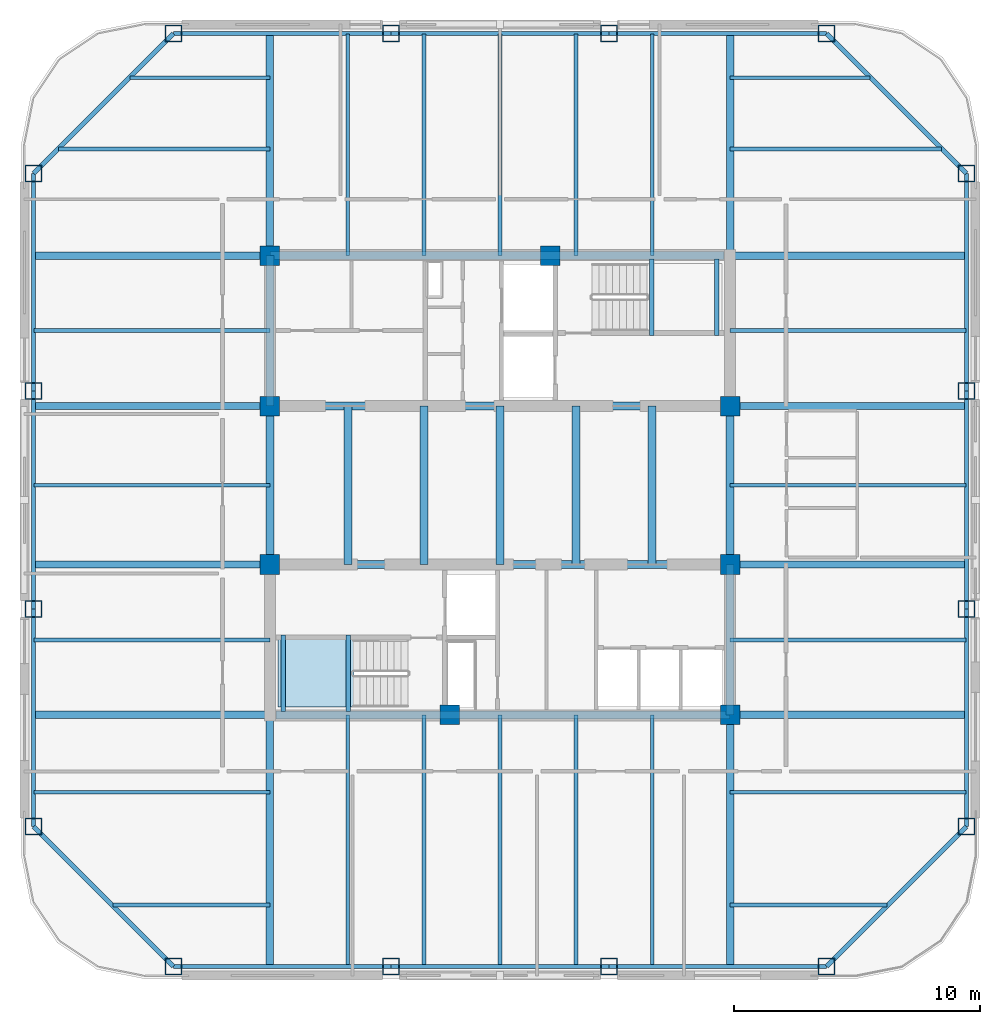
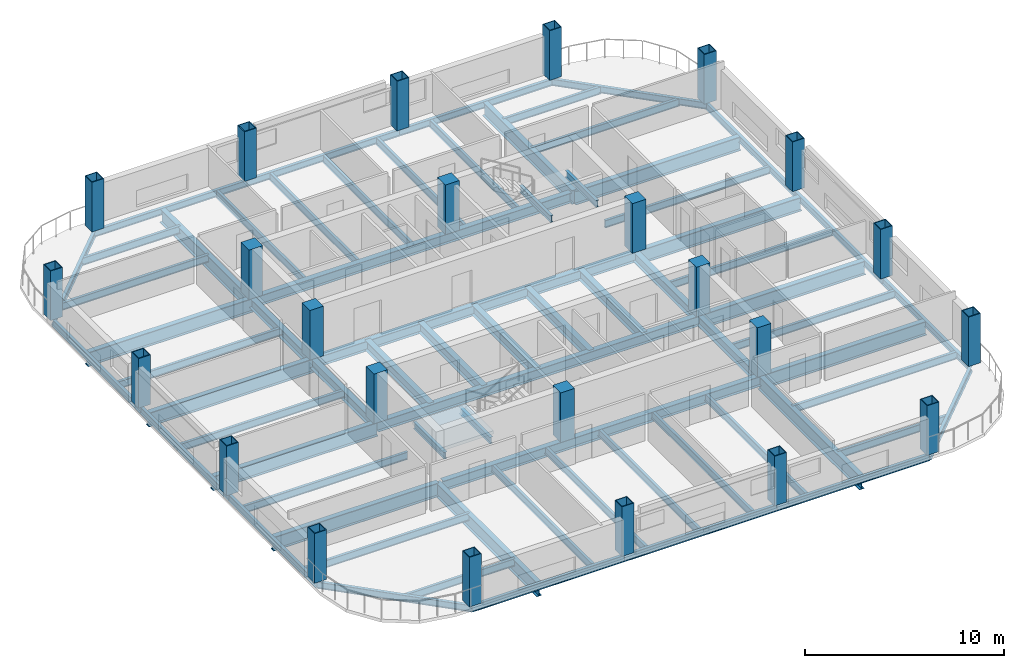
# One storey, part 1 of 8: 69 beams, 24 columns, 1 slab, 1 element without a shape of its own.
"""IFC4 building model written with IfcOpenShell, lengths in metres."""

from ifc_helpers import new_model, si_unit, direction, frame, origin, origin_2d, place, context, subcontext, project, spatial, polyline, rectangle, hollow_rectangle, i_section, outline, extrude, material, layer, layer_set, material_profile, profile_set, type_object, element, aggregate, save


model = new_model("IFC4")

# Units and contexts
model_context = context("Model", 3, precision=1e-05, world=origin(), true_north=direction((0.0, 1.0)))
body_context = subcontext(model_context, "Body", "Model", "MODEL_VIEW")
ifc_project = project(units=[si_unit("LENGTHUNIT", "METRE"), si_unit("AREAUNIT", "SQUARE_METRE"), si_unit("VOLUMEUNIT", "CUBIC_METRE"), si_unit("PLANEANGLEUNIT", "RADIAN"), si_unit("MASSUNIT", "GRAM", prefix="KILO")], contexts=[model_context])

# Site, building, storey
site_placement = place(None, origin())
site = spatial("IfcSite", under=ifc_project, at=site_placement, CompositionType="ELEMENT")
building_placement = place(site_placement, origin())
building = spatial("IfcBuilding", under=site, at=building_placement, Name="Qhalaya Broadcast Tower", CompositionType="ELEMENT")
storey_placement = place(building_placement, frame((0.0, 0.0, 220.85009765625)))
storey = spatial("IfcBuildingStorey", under=building, at=storey_placement, Name="L65", CompositionType="ELEMENT", Elevation=220.85009765625)

# Columns
ifc_material_1 = material(Name="Concrete C50/60", Category="concrete")
ifc_material_profile_1 = material_profile(ifc_material_1, rectangle(XDim=0.800048828125, YDim=0.800048828125, at=origin_2d()), Name="RC-COL 800x800")
ifc_profile_set_1 = profile_set([ifc_material_profile_1], Name="Concrete C50/60")
column_type_1 = type_object("IfcColumnType", Name="RC Upper Column C10", PredefinedType="COLUMN", material=ifc_profile_set_1)
for number, where, z_axis, x_axis, name in (
    (1, (-9.375, 9.949951171875, 0.0), (0.0, 0.0, 1.0), (1.0, 0.0, 0.0), "L65 Column COL-CC1"),
    (2, (2.050048828125, 9.949951171875, 0.0), (0.0, 0.0, 1.0), (1.0, 0.0, 0.0), "L65 Column COL-CC2"),
    (3, (-9.375, 3.824951171875, 0.0), (0.0, 0.0, 1.0), (1.0, 0.0, 0.0), "L65 Column COL-CC3"),
    (4, (9.375, 3.824951171875, 0.0), (0.0, 0.0, 1.0), (1.0, 0.0, 0.0), "L65 Column COL-CC4"),
    (5, (-9.375, -2.625, 0.0), (0.0, 0.0, 1.0), (1.0, 0.0, 0.0), "L65 Column COL-CC5"),
    (6, (9.375, -2.625, 0.0), (0.0, 0.0, 1.0), (1.0, 0.0, 0.0), "L65 Column COL-CC6"),
    (7, (-2.050048828125, -8.75, 0.0), (0.0, 0.0, 1.0), (1.0, 0.0, 0.0), "L65 Column COL-CC7"),
    (8, (9.375, -8.75, 0.0), (0.0, 0.0, 1.0), (1.0, 0.0, 0.0), "L65 Column COL-CC8"),
):
    element("IfcColumn", number, at=place(storey_placement, frame(where, z_axis=z_axis, x_axis=x_axis)), inside=storey, type_object=column_type_1, Name=name, PredefinedType="COLUMN", context=body_context, shape_type="SweptSolid", body=[
        extrude(rectangle(XDim=0.800048828125, YDim=0.800048828125, at=origin_2d()), origin(), (0.0, 0.0, 1.0), 3.0498046875),
    ])
ifc_material_2 = material(Name="Structural Steel ASTM A572 Grade 50", Category="steel")
ifc_material_profile_2 = material_profile(ifc_material_2, hollow_rectangle(XDim=0.699951171875, YDim=0.699951171875, WallThickness=0.044921875, at=origin_2d()), Name="BOX 700x700x45")
ifc_profile_set_2 = profile_set([ifc_material_profile_2], Name="Structural Steel ASTM A572 Grade 50")
column_type_2 = type_object("IfcColumnType", Name="Steel Box Column C04", PredefinedType="COLUMN", material=ifc_profile_set_2)
for number, where, z_axis, x_axis, name in (
    (9, (-13.300048828125, -19.0, 0.0), (0.0, 0.0, 1.0), (1.0, 0.0, 0.0), "L65 Column COL-EX01"),
    (10, (-4.433349609375, -19.0, 0.0), (0.0, 0.0, 1.0), (1.0, 0.0, 0.0), "L65 Column COL-EX02"),
    (11, (4.433349609375, -19.0, 0.0), (0.0, 0.0, 1.0), (1.0, 0.0, 0.0), "L65 Column COL-EX03"),
    (12, (13.300048828125, -19.0, 0.0), (0.0, 0.0, 1.0), (1.0, 0.0, 0.0), "L65 Column COL-EX04"),
    (13, (19.0, -13.300048828125, 0.0), (0.0, 0.0, 1.0), (0.0, 1.0, 0.0), "L65 Column COL-EX05"),
    (14, (19.0, -4.433349609375, 0.0), (0.0, 0.0, 1.0), (0.0, 1.0, 0.0), "L65 Column COL-EX06"),
    (15, (19.0, 4.433349609375, 0.0), (0.0, 0.0, 1.0), (0.0, 1.0, 0.0), "L65 Column COL-EX07"),
    (16, (19.0, 13.300048828125, 0.0), (0.0, 0.0, 1.0), (0.0, 1.0, 0.0), "L65 Column COL-EX08"),
    (17, (13.300048828125, 19.0, 0.0), (0.0, 0.0, 1.0), (1.0, 0.0, 0.0), "L65 Column COL-EX09"),
    (18, (4.433349609375, 19.0, 0.0), (0.0, 0.0, 1.0), (1.0, 0.0, 0.0), "L65 Column COL-EX10"),
    (19, (-4.433349609375, 19.0, 0.0), (0.0, 0.0, 1.0), (1.0, 0.0, 0.0), "L65 Column COL-EX11"),
    (20, (-13.300048828125, 19.0, 0.0), (0.0, 0.0, 1.0), (1.0, 0.0, 0.0), "L65 Column COL-EX12"),
    (21, (-19.0, 13.300048828125, 0.0), (0.0, 0.0, 1.0), (0.0, 1.0, 0.0), "L65 Column COL-EX13"),
    (22, (-19.0, 4.433349609375, 0.0), (0.0, 0.0, 1.0), (0.0, 1.0, 0.0), "L65 Column COL-EX14"),
    (23, (-19.0, -4.433349609375, 0.0), (0.0, 0.0, 1.0), (0.0, 1.0, 0.0), "L65 Column COL-EX15"),
    (24, (-19.0, -13.300048828125, 0.0), (0.0, 0.0, 1.0), (0.0, 1.0, 0.0), "L65 Column COL-EX16"),
):
    element("IfcColumn", number, at=place(storey_placement, frame(where, z_axis=z_axis, x_axis=x_axis)), inside=storey, type_object=column_type_2, Name=name, PredefinedType="COLUMN", context=body_context, shape_type="SweptSolid", body=[
        extrude(hollow_rectangle(XDim=0.699951171875, YDim=0.699951171875, WallThickness=0.044921875, at=origin_2d()), origin(), (0.0, 0.0, 1.0), 3.0498046875),
    ])

# Beams
ifc_material_3 = material(Name="Structural Steel ASTM A992 Grade 50", Category="steel")
ifc_material_profile_3 = material_profile(ifc_material_3, i_section(OverallWidth=0.154052734375, OverallDepth=0.458984375, WebThickness=0.009033203125, FlangeThickness=0.015380859375, at=origin_2d()), Name="W18X46")
ifc_profile_set_3 = profile_set([ifc_material_profile_3], Name="Structural Steel ASTM A992 Grade 50")
beam_type_1 = type_object("IfcBeamType", Name="Composite Floor Joist J04", PredefinedType="JOIST", material=ifc_profile_set_3)
beam_1_placement = place(storey_placement, frame((-6.199951171875, -18.97998046875, -0.419677734375), z_axis=(0.0, 1.0, 0.0), x_axis=(-1.0, 0.0, 0.0)))
element("IfcBeam", 25, at=beam_1_placement, inside=storey, type_object=beam_type_1, Name="L65 J04 L65-JNS1-1", PredefinedType="JOIST", context=body_context, shape_type="SweptSolid", body=[
    extrude(i_section(OverallWidth=0.154052734375, OverallDepth=0.458984375, WebThickness=0.009033203125, FlangeThickness=0.015380859375, at=origin_2d()), origin(), (0.0, 0.0, 1.0), 10.22998046875),
])
beam_2_placement = place(storey_placement, frame((-6.199951171875, 9.949951171875, -0.419677734375), z_axis=(0.0, 1.0, 0.0), x_axis=(-1.0, 0.0, 0.0)))
element("IfcBeam", 26, at=beam_2_placement, inside=storey, type_object=beam_type_1, Name="L65 J04 L65-JNN1-1", PredefinedType="JOIST", context=body_context, shape_type="SweptSolid", body=[
    extrude(i_section(OverallWidth=0.154052734375, OverallDepth=0.458984375, WebThickness=0.009033203125, FlangeThickness=0.015380859375, at=origin_2d()), origin(), (0.0, 0.0, 1.0), 9.030029296875),
])
beam_3_placement = place(storey_placement, frame((-3.10009765625, -18.97998046875, -0.419677734375), z_axis=(0.0, 1.0, 0.0), x_axis=(-1.0, 0.0, 0.0)))
element("IfcBeam", 27, at=beam_3_placement, inside=storey, type_object=beam_type_1, Name="L65 J04 L65-JNS2-1", PredefinedType="JOIST", context=body_context, shape_type="SweptSolid", body=[
    extrude(i_section(OverallWidth=0.154052734375, OverallDepth=0.458984375, WebThickness=0.009033203125, FlangeThickness=0.015380859375, at=origin_2d()), origin(), (0.0, 0.0, 1.0), 10.22998046875),
])
beam_4_placement = place(storey_placement, frame((-3.10009765625, 9.949951171875, -0.419677734375), z_axis=(0.0, 1.0, 0.0), x_axis=(-1.0, 0.0, 0.0)))
element("IfcBeam", 28, at=beam_4_placement, inside=storey, type_object=beam_type_1, Name="L65 J04 L65-JNN2-1", PredefinedType="JOIST", context=body_context, shape_type="SweptSolid", body=[
    extrude(i_section(OverallWidth=0.154052734375, OverallDepth=0.458984375, WebThickness=0.009033203125, FlangeThickness=0.015380859375, at=origin_2d()), origin(), (0.0, 0.0, 1.0), 9.030029296875),
])
beam_5_placement = place(storey_placement, frame((0.0, -18.97998046875, -0.419677734375), z_axis=(0.0, 1.0, 0.0), x_axis=(-1.0, 0.0, 0.0)))
element("IfcBeam", 29, at=beam_5_placement, inside=storey, type_object=beam_type_1, Name="L65 J04 L65-JNS3-1", PredefinedType="JOIST", context=body_context, shape_type="SweptSolid", body=[
    extrude(i_section(OverallWidth=0.154052734375, OverallDepth=0.458984375, WebThickness=0.009033203125, FlangeThickness=0.015380859375, at=origin_2d()), origin(), (0.0, 0.0, 1.0), 10.22998046875),
])
beam_6_placement = place(storey_placement, frame((0.0, 9.949951171875, -0.419677734375), z_axis=(0.0, 1.0, 0.0), x_axis=(-1.0, 0.0, 0.0)))
element("IfcBeam", 30, at=beam_6_placement, inside=storey, type_object=beam_type_1, Name="L65 J04 L65-JNN3-1", PredefinedType="JOIST", context=body_context, shape_type="SweptSolid", body=[
    extrude(i_section(OverallWidth=0.154052734375, OverallDepth=0.458984375, WebThickness=0.009033203125, FlangeThickness=0.015380859375, at=origin_2d()), origin(), (0.0, 0.0, 1.0), 9.030029296875),
])
beam_7_placement = place(storey_placement, frame((3.10009765625, -18.97998046875, -0.419677734375), z_axis=(0.0, 1.0, 0.0), x_axis=(-1.0, 0.0, 0.0)))
element("IfcBeam", 31, at=beam_7_placement, inside=storey, type_object=beam_type_1, Name="L65 J04 L65-JNS4-1", PredefinedType="JOIST", context=body_context, shape_type="SweptSolid", body=[
    extrude(i_section(OverallWidth=0.154052734375, OverallDepth=0.458984375, WebThickness=0.009033203125, FlangeThickness=0.015380859375, at=origin_2d()), origin(), (0.0, 0.0, 1.0), 10.22998046875),
])
beam_8_placement = place(storey_placement, frame((3.10009765625, 9.949951171875, -0.419677734375), z_axis=(0.0, 1.0, 0.0), x_axis=(-1.0, 0.0, 0.0)))
element("IfcBeam", 32, at=beam_8_placement, inside=storey, type_object=beam_type_1, Name="L65 J04 L65-JNN4-1", PredefinedType="JOIST", context=body_context, shape_type="SweptSolid", body=[
    extrude(i_section(OverallWidth=0.154052734375, OverallDepth=0.458984375, WebThickness=0.009033203125, FlangeThickness=0.015380859375, at=origin_2d()), origin(), (0.0, 0.0, 1.0), 9.030029296875),
])
beam_9_placement = place(storey_placement, frame((6.199951171875, -18.97998046875, -0.419677734375), z_axis=(0.0, 1.0, 0.0), x_axis=(-1.0, 0.0, 0.0)))
element("IfcBeam", 33, at=beam_9_placement, inside=storey, type_object=beam_type_1, Name="L65 J04 L65-JNS5-1", PredefinedType="JOIST", context=body_context, shape_type="SweptSolid", body=[
    extrude(i_section(OverallWidth=0.154052734375, OverallDepth=0.458984375, WebThickness=0.009033203125, FlangeThickness=0.015380859375, at=origin_2d()), origin(), (0.0, 0.0, 1.0), 10.22998046875),
])
beam_10_placement = place(storey_placement, frame((6.199951171875, 9.949951171875, -0.419677734375), z_axis=(0.0, 1.0, 0.0), x_axis=(-1.0, 0.0, 0.0)))
element("IfcBeam", 34, at=beam_10_placement, inside=storey, type_object=beam_type_1, Name="L65 J04 L65-JNN5-1", PredefinedType="JOIST", context=body_context, shape_type="SweptSolid", body=[
    extrude(i_section(OverallWidth=0.154052734375, OverallDepth=0.458984375, WebThickness=0.009033203125, FlangeThickness=0.015380859375, at=origin_2d()), origin(), (0.0, 0.0, 1.0), 9.030029296875),
])
for number, where, z_axis, x_axis, name in (
    (35, (-15.771728515625, -16.5, -0.419677734375), (1.0, 0.0, 0.0), (0.0, 1.0, 0.0), "L65 J04 L65-JWE1W-1"),
    (36, (9.375, -16.5, -0.419677734375), (1.0, 0.0, 0.0), (0.0, 1.0, 0.0), "L65 J04 L65-JWE1E-1"),
):
    element("IfcBeam", number, at=place(storey_placement, frame(where, z_axis=z_axis, x_axis=x_axis)), inside=storey, type_object=beam_type_1, Name=name, PredefinedType="JOIST", context=body_context, shape_type="SweptSolid", body=[
        extrude(i_section(OverallWidth=0.154052734375, OverallDepth=0.458984375, WebThickness=0.009033203125, FlangeThickness=0.015380859375, at=origin_2d()), origin(), (0.0, 0.0, 1.0), 6.396728515625),
    ])
for number, where, z_axis, x_axis, name in (
    (37, (-18.97998046875, -11.89990234375, -0.419677734375), (1.0, 0.0, 0.0), (0.0, 1.0, 0.0), "L65 J04 L65-JWE2W-1"),
    (38, (9.375, -11.89990234375, -0.419677734375), (1.0, 0.0, 0.0), (0.0, 1.0, 0.0), "L65 J04 L65-JWE2E-1"),
    (39, (-18.97998046875, -5.699951171875, -0.419677734375), (1.0, 0.0, 0.0), (0.0, 1.0, 0.0), "L65 J04 L65-JWE3W-1"),
    (40, (9.375, -5.699951171875, -0.419677734375), (1.0, 0.0, 0.0), (0.0, 1.0, 0.0), "L65 J04 L65-JWE3E-1"),
    (41, (-18.97998046875, 0.60009765625, -0.419677734375), (1.0, 0.0, 0.0), (0.0, 1.0, 0.0), "L65 J04 L65-JWE4W-1"),
    (42, (9.375, 0.60009765625, -0.419677734375), (1.0, 0.0, 0.0), (0.0, 1.0, 0.0), "L65 J04 L65-JWE4E-1"),
    (43, (-18.97998046875, 6.89990234375, -0.419677734375), (1.0, 0.0, 0.0), (0.0, 1.0, 0.0), "L65 J04 L65-JWE5W-1"),
    (44, (9.375, 6.89990234375, -0.419677734375), (1.0, 0.0, 0.0), (0.0, 1.0, 0.0), "L65 J04 L65-JWE5E-1"),
):
    element("IfcBeam", number, at=place(storey_placement, frame(where, z_axis=z_axis, x_axis=x_axis)), inside=storey, type_object=beam_type_1, Name=name, PredefinedType="JOIST", context=body_context, shape_type="SweptSolid", body=[
        extrude(i_section(OverallWidth=0.154052734375, OverallDepth=0.458984375, WebThickness=0.009033203125, FlangeThickness=0.015380859375, at=origin_2d()), origin(), (0.0, 0.0, 1.0), 9.60498046875),
    ])
for number, where, z_axis, x_axis, name in (
    (45, (-17.9716796875, 14.300048828125, -0.419677734375), (1.0, 0.0, 0.0), (0.0, 1.0, 0.0), "L65 J04 L65-JWE6W-1"),
    (46, (9.375, 14.300048828125, -0.419677734375), (1.0, 0.0, 0.0), (0.0, 1.0, 0.0), "L65 J04 L65-JWE6E-1"),
):
    element("IfcBeam", number, at=place(storey_placement, frame(where, z_axis=z_axis, x_axis=x_axis)), inside=storey, type_object=beam_type_1, Name=name, PredefinedType="JOIST", context=body_context, shape_type="SweptSolid", body=[
        extrude(i_section(OverallWidth=0.154052734375, OverallDepth=0.458984375, WebThickness=0.009033203125, FlangeThickness=0.015380859375, at=origin_2d()), origin(), (0.0, 0.0, 1.0), 8.5966796875),
    ])
for number, where, z_axis, x_axis, name in (
    (47, (-15.07177734375, 17.199951171875, -0.419677734375), (1.0, 0.0, 0.0), (0.0, 1.0, 0.0), "L65 J04 L65-JWE7W-1"),
    (48, (9.375, 17.199951171875, -0.419677734375), (1.0, 0.0, 0.0), (0.0, 1.0, 0.0), "L65 J04 L65-JWE7E-1"),
):
    element("IfcBeam", number, at=place(storey_placement, frame(where, z_axis=z_axis, x_axis=x_axis)), inside=storey, type_object=beam_type_1, Name=name, PredefinedType="JOIST", context=body_context, shape_type="SweptSolid", body=[
        extrude(i_section(OverallWidth=0.154052734375, OverallDepth=0.458984375, WebThickness=0.009033203125, FlangeThickness=0.015380859375, at=origin_2d()), origin(), (0.0, 0.0, 1.0), 5.69677734375),
    ])
ifc_material_profile_4 = material_profile(ifc_material_3, i_section(OverallWidth=0.323974609375, OverallDepth=0.612060546875, WebThickness=0.0126953125, FlangeThickness=0.01904296875, at=origin_2d()), Name="W24X104")
ifc_profile_set_4 = profile_set([ifc_material_profile_4], Name="Structural Steel ASTM A992 Grade 50")
beam_type_2 = type_object("IfcBeamType", Name="Core Frame Tie Beam B04", PredefinedType="BEAM", material=ifc_profile_set_4)
beam_11_placement = place(storey_placement, frame((-9.375, 3.824951171875, -0.49609375), z_axis=(1.0, 0.0, 0.0), x_axis=(0.0, 1.0, 0.0)))
element("IfcBeam", 49, at=beam_11_placement, inside=storey, type_object=beam_type_2, Name="L65 B04 L65-CCN1", PredefinedType="BEAM", context=body_context, shape_type="SweptSolid", body=[
    extrude(i_section(OverallWidth=0.323974609375, OverallDepth=0.612060546875, WebThickness=0.0126953125, FlangeThickness=0.01904296875, at=origin_2d()), origin(), (0.0, 0.0, 1.0), 18.75),
])
beam_12_placement = place(storey_placement, frame((-9.375, 3.824951171875, -0.49609375), z_axis=(0.0, 1.0, 0.0), x_axis=(-1.0, 0.0, 0.0)))
element("IfcBeam", 50, at=beam_12_placement, inside=storey, type_object=beam_type_2, Name="L65 B04 L65-CCN2", PredefinedType="BEAM", context=body_context, shape_type="SweptSolid", body=[
    extrude(i_section(OverallWidth=0.323974609375, OverallDepth=0.612060546875, WebThickness=0.0126953125, FlangeThickness=0.01904296875, at=origin_2d()), origin(), (0.0, 0.0, 1.0), 6.125),
])
beam_13_placement = place(storey_placement, frame((-9.375, 9.949951171875, -0.49609375), z_axis=(1.0, 0.0, 0.0), x_axis=(0.0, 1.0, 0.0)))
element("IfcBeam", 51, at=beam_13_placement, inside=storey, type_object=beam_type_2, Name="L65 B04 L65-CCN3", PredefinedType="BEAM", context=body_context, shape_type="SweptSolid", body=[
    extrude(i_section(OverallWidth=0.323974609375, OverallDepth=0.612060546875, WebThickness=0.0126953125, FlangeThickness=0.01904296875, at=origin_2d()), origin(), (0.0, 0.0, 1.0), 18.4951171875),
])
beam_14_placement = place(storey_placement, frame((-9.375, -2.625, -0.49609375), z_axis=(1.0, 0.0, 0.0), x_axis=(0.0, 1.0, 0.0)))
element("IfcBeam", 52, at=beam_14_placement, inside=storey, type_object=beam_type_2, Name="L65 B04 L65-CCS1", PredefinedType="BEAM", context=body_context, shape_type="SweptSolid", body=[
    extrude(i_section(OverallWidth=0.323974609375, OverallDepth=0.612060546875, WebThickness=0.0126953125, FlangeThickness=0.01904296875, at=origin_2d()), origin(), (0.0, 0.0, 1.0), 18.75),
])
beam_15_placement = place(storey_placement, frame((9.375, -8.75, -0.49609375), z_axis=(0.0, 1.0, 0.0), x_axis=(-1.0, 0.0, 0.0)))
element("IfcBeam", 53, at=beam_15_placement, inside=storey, type_object=beam_type_2, Name="L65 B04 L65-CCS2", PredefinedType="BEAM", context=body_context, shape_type="SweptSolid", body=[
    extrude(i_section(OverallWidth=0.323974609375, OverallDepth=0.612060546875, WebThickness=0.0126953125, FlangeThickness=0.01904296875, at=origin_2d()), origin(), (0.0, 0.0, 1.0), 6.125),
])
beam_16_placement = place(storey_placement, frame((-9.1201171875, -8.75, -0.49609375), z_axis=(1.0, 0.0, 0.0), x_axis=(0.0, 1.0, 0.0)))
element("IfcBeam", 54, at=beam_16_placement, inside=storey, type_object=beam_type_2, Name="L65 B04 L65-CCS3", PredefinedType="BEAM", context=body_context, shape_type="SweptSolid", body=[
    extrude(i_section(OverallWidth=0.323974609375, OverallDepth=0.612060546875, WebThickness=0.0126953125, FlangeThickness=0.01904296875, at=origin_2d()), origin(), (0.0, 0.0, 1.0), 18.4951171875),
])
for number, where, z_axis, x_axis, name in (
    (55, (-9.375, -2.625, -0.49609375), (0.0, 1.0, 0.0), (-1.0, 0.0, 0.0), "L65 B04 L65-CCW"),
    (56, (9.375, -2.625, -0.49609375), (0.0, 1.0, 0.0), (-1.0, 0.0, 0.0), "L65 B04 L65-CCE"),
    (57, (-6.199951171875, -2.625, -0.49609375), (0.0, 1.0, 0.0), (-1.0, 0.0, 0.0), "L65 B04 L65-JC1-1"),
    (58, (-3.10009765625, -2.625, -0.49609375), (0.0, 1.0, 0.0), (-1.0, 0.0, 0.0), "L65 B04 L65-JC2-1"),
    (59, (0.0, -2.625, -0.49609375), (0.0, 1.0, 0.0), (-1.0, 0.0, 0.0), "L65 B04 L65-JC3-1"),
    (60, (3.10009765625, -2.625, -0.49609375), (0.0, 1.0, 0.0), (-1.0, 0.0, 0.0), "L65 B04 L65-JC4-1"),
    (61, (6.199951171875, -2.625, -0.49609375), (0.0, 1.0, 0.0), (-1.0, 0.0, 0.0), "L65 B04 L65-JC5-1"),
):
    element("IfcBeam", number, at=place(storey_placement, frame(where, z_axis=z_axis, x_axis=x_axis)), inside=storey, type_object=beam_type_2, Name=name, PredefinedType="BEAM", context=body_context, shape_type="SweptSolid", body=[
        extrude(i_section(OverallWidth=0.323974609375, OverallDepth=0.612060546875, WebThickness=0.0126953125, FlangeThickness=0.01904296875, at=origin_2d()), origin(), (0.0, 0.0, 1.0), 6.449951171875),
    ])
ifc_material_profile_5 = material_profile(ifc_material_3, i_section(OverallWidth=0.2919921875, OverallDepth=0.85888671875, WebThickness=0.01708984375, FlangeThickness=0.031005859375, at=origin_2d()), Name="W33X169")
ifc_profile_set_5 = profile_set([ifc_material_profile_5], Name="Structural Steel ASTM A992 Grade 50")
beam_type_3 = type_object("IfcBeamType", Name="Upper Block Primary Girder PG4", PredefinedType="USERDEFINED", material=ifc_profile_set_5)
beam_17_placement = place(storey_placement, frame((-9.375, -18.97998046875, -0.61962890625), z_axis=(0.0, 1.0, 0.0), x_axis=(-1.0, 0.0, 0.0)))
element("IfcBeam", 62, at=beam_17_placement, inside=storey, type_object=beam_type_3, Name="L65 PG4 L65-PGXS1-1", ObjectType="GIRDER", PredefinedType="USERDEFINED", context=body_context, shape_type="SweptSolid", body=[
    extrude(i_section(OverallWidth=0.2919921875, OverallDepth=0.85888671875, WebThickness=0.01708984375, FlangeThickness=0.031005859375, at=origin_2d()), origin(), (0.0, 0.0, 1.0), 10.22998046875),
])
beam_18_placement = place(storey_placement, frame((-9.375, 9.949951171875, -0.61962890625), z_axis=(0.0, 1.0, 0.0), x_axis=(-1.0, 0.0, 0.0)))
element("IfcBeam", 63, at=beam_18_placement, inside=storey, type_object=beam_type_3, Name="L65 PG4 L65-PGXN1-1", ObjectType="GIRDER", PredefinedType="USERDEFINED", context=body_context, shape_type="SweptSolid", body=[
    extrude(i_section(OverallWidth=0.2919921875, OverallDepth=0.85888671875, WebThickness=0.01708984375, FlangeThickness=0.031005859375, at=origin_2d()), origin(), (0.0, 0.0, 1.0), 9.030029296875),
])
beam_19_placement = place(storey_placement, frame((9.375, -18.97998046875, -0.61962890625), z_axis=(0.0, 1.0, 0.0), x_axis=(-1.0, 0.0, 0.0)))
element("IfcBeam", 64, at=beam_19_placement, inside=storey, type_object=beam_type_3, Name="L65 PG4 L65-PGXS2-1", ObjectType="GIRDER", PredefinedType="USERDEFINED", context=body_context, shape_type="SweptSolid", body=[
    extrude(i_section(OverallWidth=0.2919921875, OverallDepth=0.85888671875, WebThickness=0.01708984375, FlangeThickness=0.031005859375, at=origin_2d()), origin(), (0.0, 0.0, 1.0), 10.22998046875),
])
beam_20_placement = place(storey_placement, frame((9.375, 9.949951171875, -0.61962890625), z_axis=(0.0, 1.0, 0.0), x_axis=(-1.0, 0.0, 0.0)))
element("IfcBeam", 65, at=beam_20_placement, inside=storey, type_object=beam_type_3, Name="L65 PG4 L65-PGXN2-1", ObjectType="GIRDER", PredefinedType="USERDEFINED", context=body_context, shape_type="SweptSolid", body=[
    extrude(i_section(OverallWidth=0.2919921875, OverallDepth=0.85888671875, WebThickness=0.01708984375, FlangeThickness=0.031005859375, at=origin_2d()), origin(), (0.0, 0.0, 1.0), 9.030029296875),
])
for number, where, z_axis, x_axis, name in (
    (66, (-18.97998046875, -8.75, -0.61962890625), (1.0, 0.0, 0.0), (0.0, 1.0, 0.0), "L65 PG4 L65-PGYW1-1"),
    (67, (9.375, -8.75, -0.61962890625), (1.0, 0.0, 0.0), (0.0, 1.0, 0.0), "L65 PG4 L65-PGYE1-1"),
    (68, (-18.97998046875, -2.625, -0.61962890625), (1.0, 0.0, 0.0), (0.0, 1.0, 0.0), "L65 PG4 L65-PGYW2-1"),
    (69, (9.375, -2.625, -0.61962890625), (1.0, 0.0, 0.0), (0.0, 1.0, 0.0), "L65 PG4 L65-PGYE2-1"),
    (70, (-18.97998046875, 3.824951171875, -0.61962890625), (1.0, 0.0, 0.0), (0.0, 1.0, 0.0), "L65 PG4 L65-PGYW3-1"),
    (71, (9.375, 3.824951171875, -0.61962890625), (1.0, 0.0, 0.0), (0.0, 1.0, 0.0), "L65 PG4 L65-PGYE3-1"),
    (72, (-18.97998046875, 9.949951171875, -0.61962890625), (1.0, 0.0, 0.0), (0.0, 1.0, 0.0), "L65 PG4 L65-PGYW4-1"),
    (73, (9.375, 9.949951171875, -0.61962890625), (1.0, 0.0, 0.0), (0.0, 1.0, 0.0), "L65 PG4 L65-PGYE4-1"),
):
    element("IfcBeam", number, at=place(storey_placement, frame(where, z_axis=z_axis, x_axis=x_axis)), inside=storey, type_object=beam_type_3, Name=name, ObjectType="GIRDER", PredefinedType="USERDEFINED", context=body_context, shape_type="SweptSolid", body=[
        extrude(i_section(OverallWidth=0.2919921875, OverallDepth=0.85888671875, WebThickness=0.01708984375, FlangeThickness=0.031005859375, at=origin_2d()), origin(), (0.0, 0.0, 1.0), 9.60498046875),
    ])
ifc_material_profile_6 = material_profile(ifc_material_3, i_section(OverallWidth=0.177978515625, OverallDepth=0.406005859375, WebThickness=0.0078125, FlangeThickness=0.0126953125, at=origin_2d()), Name="W16X40")
ifc_profile_set_6 = profile_set([ifc_material_profile_6], Name="Structural Steel ASTM A992 Grade 50")
beam_type_4 = type_object("IfcBeamType", Name="Upper Perimeter Spandrel Beam SP2", PredefinedType="SPANDREL", material=ifc_profile_set_6)
for number, where, z_axis, x_axis, name in (
    (74, (-13.300048828125, -19.0, -0.39306640625), (1.0, 0.0, 0.0), (0.0, 1.0, 0.0), "L65 SP2 L65-SPR-01"),
    (75, (-4.433349609375, -19.0, -0.39306640625), (1.0, 0.0, 0.0), (0.0, 1.0, 0.0), "L65 SP2 L65-SPR-02"),
    (76, (4.433349609375, -19.0, -0.39306640625), (1.0, 0.0, 0.0), (0.0, 1.0, 0.0), "L65 SP2 L65-SPR-03"),
):
    element("IfcBeam", number, at=place(storey_placement, frame(where, z_axis=z_axis, x_axis=x_axis)), inside=storey, type_object=beam_type_4, Name=name, PredefinedType="SPANDREL", context=body_context, shape_type="SweptSolid", body=[
        extrude(i_section(OverallWidth=0.177978515625, OverallDepth=0.406005859375, WebThickness=0.0078125, FlangeThickness=0.0126953125, at=origin_2d()), origin(), (0.0, 0.0, 1.0), 8.86669921875),
    ])
beam_21_placement = place(storey_placement, frame((13.300048828125, -19.0, -0.39306640625), z_axis=(0.707106781187, 0.707106781187, 0.0), x_axis=(-0.707106781187, 0.707106781187, 0.0)))
element("IfcBeam", 77, at=beam_21_placement, inside=storey, type_object=beam_type_4, Name="L65 SP2 L65-SPR-04", PredefinedType="SPANDREL", context=body_context, shape_type="SweptSolid", body=[
    extrude(i_section(OverallWidth=0.177978515625, OverallDepth=0.406005859375, WebThickness=0.0078125, FlangeThickness=0.0126953125, at=origin_2d()), origin(), (0.0, 0.0, 1.0), 8.06103515625),
])
for number, where, z_axis, x_axis, name in (
    (78, (19.0, -13.300048828125, -0.39306640625), (0.0, 1.0, 0.0), (-1.0, 0.0, 0.0), "L65 SP2 L65-SPR-05"),
    (79, (19.0, -4.433349609375, -0.39306640625), (0.0, 1.0, 0.0), (-1.0, 0.0, 0.0), "L65 SP2 L65-SPR-06"),
    (80, (19.0, 4.433349609375, -0.39306640625), (0.0, 1.0, 0.0), (-1.0, 0.0, 0.0), "L65 SP2 L65-SPR-07"),
):
    element("IfcBeam", number, at=place(storey_placement, frame(where, z_axis=z_axis, x_axis=x_axis)), inside=storey, type_object=beam_type_4, Name=name, PredefinedType="SPANDREL", context=body_context, shape_type="SweptSolid", body=[
        extrude(i_section(OverallWidth=0.177978515625, OverallDepth=0.406005859375, WebThickness=0.0078125, FlangeThickness=0.0126953125, at=origin_2d()), origin(), (0.0, 0.0, 1.0), 8.86669921875),
    ])
beam_22_placement = place(storey_placement, frame((19.0, 13.300048828125, -0.39306640625), z_axis=(-0.707106781187, 0.707106781187, 0.0), x_axis=(-0.707106781187, -0.707106781187, 0.0)))
element("IfcBeam", 81, at=beam_22_placement, inside=storey, type_object=beam_type_4, Name="L65 SP2 L65-SPR-08", PredefinedType="SPANDREL", context=body_context, shape_type="SweptSolid", body=[
    extrude(i_section(OverallWidth=0.177978515625, OverallDepth=0.406005859375, WebThickness=0.0078125, FlangeThickness=0.0126953125, at=origin_2d()), origin(), (0.0, 0.0, 1.0), 8.06103515625),
])
for number, where, z_axis, x_axis, name in (
    (82, (13.300048828125, 19.0, -0.39306640625), (-1.0, 0.0, 0.0), (0.0, -1.0, 0.0), "L65 SP2 L65-SPR-09"),
    (83, (4.433349609375, 19.0, -0.39306640625), (-1.0, 0.0, 0.0), (0.0, -1.0, 0.0), "L65 SP2 L65-SPR-10"),
    (84, (-4.433349609375, 19.0, -0.39306640625), (-1.0, 0.0, 0.0), (0.0, -1.0, 0.0), "L65 SP2 L65-SPR-11"),
):
    element("IfcBeam", number, at=place(storey_placement, frame(where, z_axis=z_axis, x_axis=x_axis)), inside=storey, type_object=beam_type_4, Name=name, PredefinedType="SPANDREL", context=body_context, shape_type="SweptSolid", body=[
        extrude(i_section(OverallWidth=0.177978515625, OverallDepth=0.406005859375, WebThickness=0.0078125, FlangeThickness=0.0126953125, at=origin_2d()), origin(), (0.0, 0.0, 1.0), 8.86669921875),
    ])
beam_23_placement = place(storey_placement, frame((-13.300048828125, 19.0, -0.39306640625), z_axis=(-0.707106781187, -0.707106781187, 0.0), x_axis=(0.707106781187, -0.707106781187, 0.0)))
element("IfcBeam", 85, at=beam_23_placement, inside=storey, type_object=beam_type_4, Name="L65 SP2 L65-SPR-12", PredefinedType="SPANDREL", context=body_context, shape_type="SweptSolid", body=[
    extrude(i_section(OverallWidth=0.177978515625, OverallDepth=0.406005859375, WebThickness=0.0078125, FlangeThickness=0.0126953125, at=origin_2d()), origin(), (0.0, 0.0, 1.0), 8.06103515625),
])
for number, where, z_axis, x_axis, name in (
    (86, (-19.0, 13.300048828125, -0.39306640625), (0.0, -1.0, 0.0), (1.0, 0.0, 0.0), "L65 SP2 L65-SPR-13"),
    (87, (-19.0, 4.433349609375, -0.39306640625), (0.0, -1.0, 0.0), (1.0, 0.0, 0.0), "L65 SP2 L65-SPR-14"),
    (88, (-19.0, -4.433349609375, -0.39306640625), (0.0, -1.0, 0.0), (1.0, 0.0, 0.0), "L65 SP2 L65-SPR-15"),
):
    element("IfcBeam", number, at=place(storey_placement, frame(where, z_axis=z_axis, x_axis=x_axis)), inside=storey, type_object=beam_type_4, Name=name, PredefinedType="SPANDREL", context=body_context, shape_type="SweptSolid", body=[
        extrude(i_section(OverallWidth=0.177978515625, OverallDepth=0.406005859375, WebThickness=0.0078125, FlangeThickness=0.0126953125, at=origin_2d()), origin(), (0.0, 0.0, 1.0), 8.86669921875),
    ])
beam_24_placement = place(storey_placement, frame((-19.0, -13.300048828125, -0.39306640625), z_axis=(0.707106781187, -0.707106781187, 0.0), x_axis=(0.707106781187, 0.707106781187, 0.0)))
element("IfcBeam", 89, at=beam_24_placement, inside=storey, type_object=beam_type_4, Name="L65 SP2 L65-SPR-16", PredefinedType="SPANDREL", context=body_context, shape_type="SweptSolid", body=[
    extrude(i_section(OverallWidth=0.177978515625, OverallDepth=0.406005859375, WebThickness=0.0078125, FlangeThickness=0.0126953125, at=origin_2d()), origin(), (0.0, 0.0, 1.0), 8.06103515625),
])
for number, where, z_axis, x_axis, name in (
    (90, (6.175048828125, 6.699951171875, 1.121826171875), (0.0, 1.0, 0.0), (-1.0, 0.0, 0.0), "L65 ST-1 Half-Landing Bearer Beam 1"),
    (91, (8.830078125, 6.699951171875, 1.121826171875), (0.0, 1.0, 0.0), (-1.0, 0.0, 0.0), "L65 ST-1 Half-Landing Bearer Beam 2"),
    (92, (-8.830078125, -8.6201171875, 1.121826171875), (0.0, 1.0, 0.0), (-1.0, 0.0, 0.0), "L65 ST-2 Half-Landing Bearer Beam 1"),
    (93, (-6.175048828125, -8.6201171875, 1.121826171875), (0.0, 1.0, 0.0), (-1.0, 0.0, 0.0), "L65 ST-2 Half-Landing Bearer Beam 2"),
):
    element("IfcBeam", number, at=place(storey_placement, frame(where, z_axis=z_axis, x_axis=x_axis)), inside=storey, type_object=beam_type_4, Name=name, PredefinedType="SPANDREL", context=body_context, shape_type="SweptSolid", body=[
        extrude(i_section(OverallWidth=0.177978515625, OverallDepth=0.406005859375, WebThickness=0.0078125, FlangeThickness=0.0126953125, at=origin_2d()), origin(), (0.0, 0.0, 1.0), 3.1201171875),
    ])

# Stair, slab
ifc_material_4 = material(Name="Concrete C40/50", Category="concrete")
stair_type = type_object("IfcStairType", Name="Protected Dogleg Core Stair 3150", PredefinedType="TWO_STRAIGHT_RUN_STAIR", material=ifc_material_4)
stair_placement = place(storey_placement, origin())
stair = element("IfcStair", 94, at=stair_placement, inside=storey, type_object=stair_type, Name="L65 South Core Exit Stair ST-2", PredefinedType="TWO_STRAIGHT_RUN_STAIR")
ifc_layer = layer(ifc_material_4, 0.199951171875, Name="Concrete C40/50")
ifc_layer_set = layer_set([ifc_layer], Name="Concrete C40/50")
slab_type = type_object("IfcSlabType", Name="Stair & Ramp Half-Landing Slab 200", PredefinedType="LANDING", material=ifc_layer_set)
slab_placement = place(storey_placement, frame((0.0, 0.0, 1.324951171875)))
slab = element("IfcSlab", 95, at=slab_placement, type_object=slab_type, Name="ST-2 landing 1", PredefinedType="LANDING", context=body_context, shape_type="SweptSolid", body=[
    extrude(outline(polyline([(-5.955078125, -5.679931640625), (-9.050048828125, -5.679931640625), (-9.050048828125, -8.43994140625), (-5.955078125, -8.43994140625), (-5.955078125, -5.679931640625)])), origin(), (0.0, 0.0, 1.0), 0.199951171875),
])
aggregate(stair, [slab])

save(model, "model.ifc")
